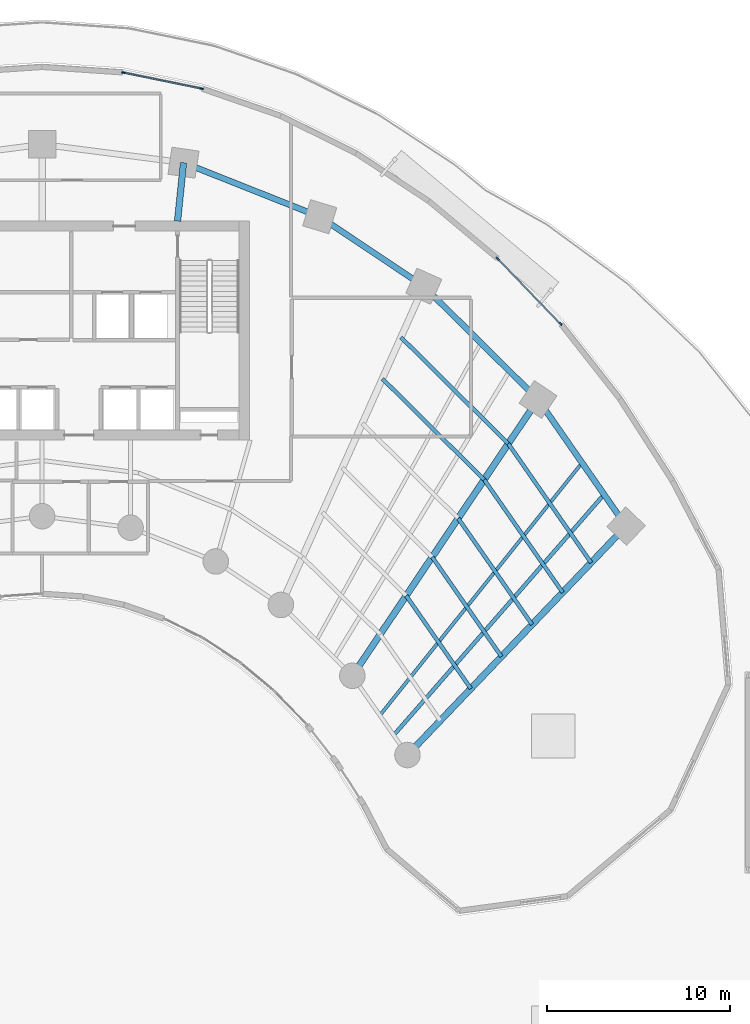
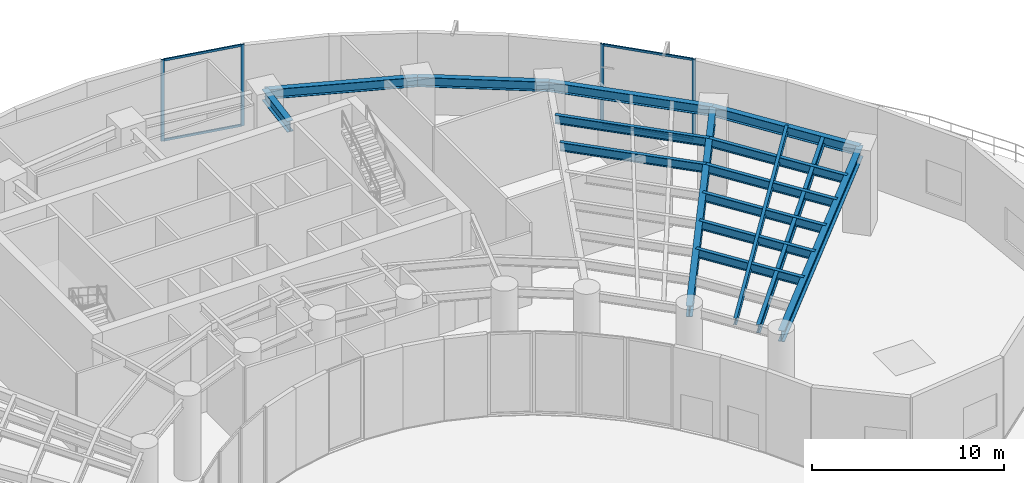
# One storey, part 6 of 17: 16 beams, 8 members, 2 elements without a shape of their own.
"""IFC4 building model written with IfcOpenShell, lengths in metres."""

from ifc_helpers import new_model, si_unit, direction, frame, origin, origin_2d, place, context, subcontext, project, spatial, rectangle, i_section, extrude, source, transform, mapped, material, layer, layer_set, material_profile, profile_set, type_object, type_shapes, element, aggregate, save


model = new_model("IFC4")

# Units and contexts
model_context = context("Model", 3, precision=1e-05, world=origin(), true_north=direction((0.0, 1.0)))
body_context = subcontext(model_context, "Body", "Model", "MODEL_VIEW")
ifc_project = project(units=[si_unit("LENGTHUNIT", "METRE"), si_unit("AREAUNIT", "SQUARE_METRE"), si_unit("VOLUMEUNIT", "CUBIC_METRE"), si_unit("PLANEANGLEUNIT", "RADIAN"), si_unit("MASSUNIT", "GRAM", prefix="KILO")], contexts=[model_context])

# Site, building, storey
site_placement = place(None, origin())
site = spatial("IfcSite", under=ifc_project, at=site_placement, CompositionType="ELEMENT")
building_placement = place(site_placement, origin())
building = spatial("IfcBuilding", under=site, at=building_placement, Name="Breltana Convention Tower", CompositionType="ELEMENT")
storey_placement = place(building_placement, frame((0.0, 0.0, 30.0)))
storey = spatial("IfcBuildingStorey", under=building, at=storey_placement, Name="L05", CompositionType="ELEMENT", Elevation=30.0)

# Beams
ifc_material_1 = material(Name="Steel ASTM A992 Grade 50", Category="steel")
ifc_material_profile_1 = material_profile(ifc_material_1, i_section(OverallWidth=0.323974609375, OverallDepth=0.611083984375, WebThickness=0.0126953125, FlangeThickness=0.01904296875, at=origin_2d()), Name="W24X104")
ifc_profile_set_1 = profile_set([ifc_material_profile_1], Name="Steel ASTM A992 Grade 50")
beam_type_1 = type_object("IfcBeamType", Name="BM-SP-W24X104", PredefinedType="SPANDREL", material=ifc_profile_set_1)
shared_shape_1 = source(origin(), body_context, "Body", "SweptSolid", [
    extrude(i_section(OverallWidth=0.323974609375, OverallDepth=0.611083984375, WebThickness=0.0126953125, FlangeThickness=0.01904296875, at=origin_2d()), origin(), (0.0, 0.0, 1.0), 8.028564453125),
])
beam_1_placement = place(storey_placement, frame((55.746826171875, 75.404296875, 4.8544921875), z_axis=(0.929459100394, -0.368925169507, 0.0), x_axis=(0.368925169507, 0.929459100394, 0.0)))
element("IfcBeam", 1, at=beam_1_placement, inside=storey, type_object=beam_type_1, Name="L05 Outer Spandrel Beam 07", PredefinedType="SPANDREL", context=body_context, shape_type="MappedRepresentation", body=[
    mapped(shared_shape_1, transform((0.0, 0.0, 0.0), scale=1.0)),
])
shared_shape_2 = source(origin(), body_context, "Body", "SweptSolid", [
    extrude(i_section(OverallWidth=0.323974609375, OverallDepth=0.611083984375, WebThickness=0.0126953125, FlangeThickness=0.01904296875, at=origin_2d()), origin(), (0.0, 0.0, 1.0), 6.856689453125),
])
beam_2_placement = place(storey_placement, frame((63.208984375, 72.4423828125, 4.8544921875), z_axis=(0.83150210718, -0.55552159792, 0.0), x_axis=(0.55552159792, 0.83150210718, 0.0)))
element("IfcBeam", 2, at=beam_2_placement, inside=storey, type_object=beam_type_1, Name="L05 Outer Spandrel Beam 08", PredefinedType="SPANDREL", context=body_context, shape_type="MappedRepresentation", body=[
    mapped(shared_shape_2, transform((0.0, 0.0, 0.0), scale=1.0)),
])
shared_shape_3 = source(origin(), body_context, "Body", "SweptSolid", [
    extrude(i_section(OverallWidth=0.323974609375, OverallDepth=0.611083984375, WebThickness=0.0126953125, FlangeThickness=0.01904296875, at=origin_2d()), origin(), (0.0, 0.0, 1.0), 8.810302734375),
])
beam_3_placement = place(storey_placement, frame((68.910400390625, 68.63330078125, 4.8544921875), z_axis=(0.710120823582, -0.704079836322, 0.0), x_axis=(0.704079836322, 0.710120823582, 0.0)))
element("IfcBeam", 3, at=beam_3_placement, inside=storey, type_object=beam_type_1, Name="L05 Outer Spandrel Beam 09", PredefinedType="SPANDREL", context=body_context, shape_type="MappedRepresentation", body=[
    mapped(shared_shape_3, transform((0.0, 0.0, 0.0), scale=1.0)),
])
shared_shape_4 = source(origin(), body_context, "Body", "SweptSolid", [
    extrude(i_section(OverallWidth=0.323974609375, OverallDepth=0.611083984375, WebThickness=0.0126953125, FlangeThickness=0.01904296875, at=origin_2d()), origin(), (0.0, 0.0, 1.0), 8.44970703125),
])
beam_4_placement = place(storey_placement, frame((75.166748046875, 62.43017578125, 4.8544921875), z_axis=(0.5711855381, -0.820820979913, 0.0), x_axis=(0.820820979913, 0.5711855381, 0.0)))
element("IfcBeam", 4, at=beam_4_placement, inside=storey, type_object=beam_type_1, Name="L05 Outer Spandrel Beam 10", PredefinedType="SPANDREL", context=body_context, shape_type="MappedRepresentation", body=[
    mapped(shared_shape_4, transform((0.0, 0.0, 0.0), scale=1.0)),
])
ifc_material_profile_2 = material_profile(ifc_material_1, i_section(OverallWidth=0.35498046875, OverallDepth=0.696044921875, WebThickness=0.015380859375, FlangeThickness=0.02490234375, at=origin_2d()), Name="W27X146")
ifc_profile_set_2 = profile_set([ifc_material_profile_2], Name="Steel ASTM A992 Grade 50")
beam_type_2 = type_object("IfcBeamType", Name="BM-RG-W27X146", PredefinedType="USERDEFINED", material=ifc_profile_set_2)
shared_shape_5 = source(origin(), body_context, "Body", "SweptSolid", [
    extrude(i_section(OverallWidth=0.35498046875, OverallDepth=0.696044921875, WebThickness=0.015380859375, FlangeThickness=0.02490234375, at=origin_2d()), origin(), (0.0, 0.0, 1.0), 17.341064453125),
])
type_shapes(beam_type_2, [shared_shape_5])
beam_5_placement = place(storey_placement, frame((68.015380859375, 42.95458984375, 4.81201171875), z_axis=(0.690716462293, 0.723125693581, 0.0), x_axis=(-0.723125693581, 0.690716462293, 0.0)))
element("IfcBeam", 5, at=beam_5_placement, inside=storey, type_object=beam_type_2, Name="L05 Radial Floor Girder R11", ObjectType="GIRDER", PredefinedType="USERDEFINED", context=body_context, shape_type="MappedRepresentation", body=[
    mapped(shared_shape_5, transform((0.0, 0.0, 0.0), scale=1.0)),
])
shared_shape_6 = source(origin(), body_context, "Body", "SweptSolid", [
    extrude(i_section(OverallWidth=0.35498046875, OverallDepth=0.696044921875, WebThickness=0.015380859375, FlangeThickness=0.02490234375, at=origin_2d()), origin(), (0.0, 0.0, 1.0), 3.220947265625),
])
beam_6_placement = place(storey_placement, frame((55.419921875, 72.199951171875, 4.81201171875), z_axis=(0.101492254858, 0.994836329355, 0.0), x_axis=(-0.994836329355, 0.101492254858, 0.0)))
element("IfcBeam", 6, at=beam_6_placement, inside=storey, type_object=beam_type_2, Name="L05 North Core Radial Girder R07", ObjectType="GIRDER", PredefinedType="USERDEFINED", context=body_context, shape_type="MappedRepresentation", body=[
    mapped(shared_shape_6, transform((0.0, 0.0, 0.0), scale=1.0)),
])
shared_shape_7 = source(origin(), body_context, "Body", "SweptSolid", [
    extrude(i_section(OverallWidth=0.35498046875, OverallDepth=0.696044921875, WebThickness=0.015380859375, FlangeThickness=0.02490234375, at=origin_2d()), origin(), (0.0, 0.0, 1.0), 18.236328125),
])
beam_7_placement = place(storey_placement, frame((64.995849609375, 47.293701171875, 4.81201171875), z_axis=(0.557730360975, 0.830022195153, 0.0), x_axis=(-0.830022195153, 0.557730360975, 0.0)))
element("IfcBeam", 7, at=beam_7_placement, inside=storey, type_object=beam_type_2, Name="L05 Radial Floor Girder R10", ObjectType="GIRDER", PredefinedType="USERDEFINED", context=body_context, shape_type="MappedRepresentation", body=[
    mapped(shared_shape_7, transform((0.0, 0.0, 0.0), scale=1.0)),
])
ifc_material_profile_3 = material_profile(ifc_material_1, i_section(OverallWidth=0.214111328125, OverallDepth=0.549072265625, WebThickness=0.0146484375, FlangeThickness=0.023681640625, at=origin_2d()), Name="W21X93")
ifc_profile_set_3 = profile_set([ifc_material_profile_3], Name="Steel ASTM A992 Grade 50")
beam_type_3 = type_object("IfcBeamType", Name="BM-JSG-03", PredefinedType="JOIST", material=ifc_profile_set_3)
shared_shape_8 = source(origin(), body_context, "Body", "SweptSolid", [
    extrude(i_section(OverallWidth=0.214111328125, OverallDepth=0.549072265625, WebThickness=0.0146484375, FlangeThickness=0.023681640625, at=origin_2d()), origin(), (0.0, 0.0, 1.0), 7.853759765625),
])
beam_8_placement = place(storey_placement, frame((66.64013671875, 63.5703125, 4.885498046875), z_axis=(0.710115639208, -0.70408506514, 0.0), x_axis=(0.70408506514, 0.710115639208, 0.0)))
element("IfcBeam", 8, at=beam_8_placement, inside=storey, type_object=beam_type_3, Name="L05 Composite Floor Joist 09.5", PredefinedType="JOIST", context=body_context, shape_type="MappedRepresentation", body=[
    mapped(shared_shape_8, transform((0.0, 0.0, 0.0), scale=1.0)),
])
shared_shape_9 = source(origin(), body_context, "Body", "SweptSolid", [
    extrude(i_section(OverallWidth=0.214111328125, OverallDepth=0.549072265625, WebThickness=0.0146484375, FlangeThickness=0.023681640625, at=origin_2d()), origin(), (0.0, 0.0, 1.0), 8.2822265625),
])
beam_9_placement = place(storey_placement, frame((67.657958984375, 65.83984375, 4.885498046875), z_axis=(0.710107068817, -0.704093708832, 0.0), x_axis=(0.704093708832, 0.710107068817, 0.0)))
element("IfcBeam", 9, at=beam_9_placement, inside=storey, type_object=beam_type_3, Name="L05 Composite Floor Joist 09.6", PredefinedType="JOIST", context=body_context, shape_type="MappedRepresentation", body=[
    mapped(shared_shape_9, transform((0.0, 0.0, 0.0), scale=1.0)),
])
shared_shape_10 = source(origin(), body_context, "Body", "SweptSolid", [
    extrude(i_section(OverallWidth=0.214111328125, OverallDepth=0.549072265625, WebThickness=0.0146484375, FlangeThickness=0.023681640625, at=origin_2d()), origin(), (0.0, 0.0, 1.0), 6.203857421875),
])
beam_10_placement = place(storey_placement, frame((67.9453125, 51.683349609375, 4.885498046875), z_axis=(0.571217832032, -0.820798506558, 0.0), x_axis=(0.820798506558, 0.571217832032, 0.0)))
element("IfcBeam", 10, at=beam_10_placement, inside=storey, type_object=beam_type_3, Name="L05 Composite Floor Joist 10.2", PredefinedType="JOIST", context=body_context, shape_type="MappedRepresentation", body=[
    mapped(shared_shape_10, transform((0.0, 0.0, 0.0), scale=1.0)),
])
shared_shape_11 = source(origin(), body_context, "Body", "SweptSolid", [
    extrude(i_section(OverallWidth=0.214111328125, OverallDepth=0.549072265625, WebThickness=0.0146484375, FlangeThickness=0.023681640625, at=origin_2d()), origin(), (0.0, 0.0, 1.0), 6.646728515625),
])
beam_11_placement = place(storey_placement, frame((69.369384765625, 53.802490234375, 4.885498046875), z_axis=(0.571194698527, -0.820814605362, 0.0), x_axis=(0.820814605362, 0.571194698527, 0.0)))
element("IfcBeam", 11, at=beam_11_placement, inside=storey, type_object=beam_type_3, Name="L05 Composite Floor Joist 10.3", PredefinedType="JOIST", context=body_context, shape_type="MappedRepresentation", body=[
    mapped(shared_shape_11, transform((0.0, 0.0, 0.0), scale=1.0)),
])
shared_shape_12 = source(origin(), body_context, "Body", "SweptSolid", [
    extrude(i_section(OverallWidth=0.214111328125, OverallDepth=0.549072265625, WebThickness=0.0146484375, FlangeThickness=0.023681640625, at=origin_2d()), origin(), (0.0, 0.0, 1.0), 7.089599609375),
])
beam_12_placement = place(storey_placement, frame((70.793212890625, 55.92138671875, 4.885498046875), z_axis=(0.571206746165, -0.820806221429, 0.0), x_axis=(0.820806221429, 0.571206746165, 0.0)))
element("IfcBeam", 12, at=beam_12_placement, inside=storey, type_object=beam_type_3, Name="L05 Composite Floor Joist 10.4", PredefinedType="JOIST", context=body_context, shape_type="MappedRepresentation", body=[
    mapped(shared_shape_12, transform((0.0, 0.0, 0.0), scale=1.0)),
])
shared_shape_13 = source(origin(), body_context, "Body", "SweptSolid", [
    extrude(i_section(OverallWidth=0.214111328125, OverallDepth=0.549072265625, WebThickness=0.0146484375, FlangeThickness=0.023681640625, at=origin_2d()), origin(), (0.0, 0.0, 1.0), 7.5322265625),
])
beam_13_placement = place(storey_placement, frame((72.21728515625, 58.04052734375, 4.885498046875), z_axis=(0.57120218088, -0.820809398434, 0.0), x_axis=(0.820809398434, 0.57120218088, 0.0)))
element("IfcBeam", 13, at=beam_13_placement, inside=storey, type_object=beam_type_3, Name="L05 Composite Floor Joist 10.5", PredefinedType="JOIST", context=body_context, shape_type="MappedRepresentation", body=[
    mapped(shared_shape_13, transform((0.0, 0.0, 0.0), scale=1.0)),
])
shared_shape_14 = source(origin(), body_context, "Body", "SweptSolid", [
    extrude(i_section(OverallWidth=0.214111328125, OverallDepth=0.549072265625, WebThickness=0.0146484375, FlangeThickness=0.023681640625, at=origin_2d()), origin(), (0.0, 0.0, 1.0), 7.94384765625),
])
beam_14_placement = place(storey_placement, frame((73.539306640625, 60.00830078125, 4.885498046875), z_axis=(0.571213957374, -0.820801203034, 0.0), x_axis=(0.820801203034, 0.571213957374, 0.0)))
element("IfcBeam", 14, at=beam_14_placement, inside=storey, type_object=beam_type_3, Name="L05 Composite Floor Joist 10.6", PredefinedType="JOIST", context=body_context, shape_type="MappedRepresentation", body=[
    mapped(shared_shape_14, transform((0.0, 0.0, 0.0), scale=1.0)),
])
ifc_material_profile_4 = material_profile(ifc_material_1, i_section(OverallWidth=0.179931640625, OverallDepth=0.4130859375, WebThickness=0.009765625, FlangeThickness=0.01611328125, at=origin_2d()), Name="W16X50")
ifc_profile_set_4 = profile_set([ifc_material_profile_4], Name="Steel ASTM A992 Grade 50")
beam_type_4 = type_object("IfcBeamType", Name="BM-JSG-08", PredefinedType="JOIST", material=ifc_profile_set_4)
shared_shape_15 = source(origin(), body_context, "Body", "SweptSolid", [
    extrude(i_section(OverallWidth=0.179931640625, OverallDepth=0.4130859375, WebThickness=0.009765625, FlangeThickness=0.01611328125, at=origin_2d()), origin(), (0.0, 0.0, 1.0), 17.7236328125),
])
beam_15_placement = place(storey_placement, frame((66.505615234375, 45.124267578125, 4.95361328125), z_axis=(0.624829427563, 0.78076128647, 0.0), x_axis=(-0.78076128647, 0.624829427563, 0.0)))
element("IfcBeam", 15, at=beam_15_placement, inside=storey, type_object=beam_type_4, Name="L05 Mid-Bay Radial Trimmer 10", PredefinedType="JOIST", context=body_context, shape_type="MappedRepresentation", body=[
    mapped(shared_shape_15, transform((0.0, 0.0, 0.0), scale=1.0)),
])
shared_shape_16 = source(origin(), body_context, "Body", "SweptSolid", [
    extrude(i_section(OverallWidth=0.214111328125, OverallDepth=0.549072265625, WebThickness=0.0146484375, FlangeThickness=0.023681640625, at=origin_2d()), origin(), (0.0, 0.0, 1.0), 17.515625),
])
beam_16_placement = place(storey_placement, frame((67.260498046875, 44.03955078125, 4.885498046875), z_axis=(0.658051548324, 0.752972881151, 0.0), x_axis=(-0.752972881151, 0.658051548324, 0.0)))
element("IfcBeam", 16, at=beam_16_placement, inside=storey, type_object=beam_type_3, Name="L05 Quarter-Bay Radial Trimmer 10", PredefinedType="JOIST", context=body_context, shape_type="MappedRepresentation", body=[
    mapped(shared_shape_16, transform((0.0, 0.0, 0.0), scale=1.0)),
])

# Curtain wall, members
ifc_material_2 = material(Name="Aluminium Anodised Bronze Frame", Category="aluminium")
ifc_layer = layer(ifc_material_2, 0.239990234375, Name="Aluminium Anodised Bronze Frame")
ifc_layer_set = layer_set([ifc_layer], Name="Aluminium Anodised Bronze Frame")
curtain_wall_type = type_object("IfcCurtainWallType", Name="CW-SYS-6", PredefinedType="NOTDEFINED", material=ifc_layer_set)
curtain_wall_1_placement = place(storey_placement, origin())
curtain_wall_1 = element("IfcCurtainWall", 17, at=curtain_wall_1_placement, inside=storey, type_object=curtain_wall_type, Name="L05 outer double-skin inner glazing 3", PredefinedType="NOTDEFINED")
ifc_material_3 = material(Name="Aluminium Anodised Bronze", Category="aluminium")
ifc_material_profile_5 = material_profile(ifc_material_3, rectangle(XDim=0.080078125, YDim=0.199951171875, at=origin_2d()), Name="CWM-80X200")
ifc_profile_set_5 = profile_set([ifc_material_profile_5], Name="Aluminium Anodised Bronze")
member_type_1 = type_object("IfcMemberType", Name="CWM-200", PredefinedType="MULLION", material=ifc_profile_set_5)
shared_shape_17 = source(origin(), body_context, "Body", "SweptSolid", [
    extrude(rectangle(XDim=0.080078125, YDim=0.199951171875, at=origin_2d()), origin(), (0.0, 0.0, 1.0), 5.159912109375),
])
type_shapes(member_type_1, [shared_shape_17])
member_1_placement = place(storey_placement, frame((52.451171875, 80.338134765625, 0.0), z_axis=(0.0, 0.0, 1.0), x_axis=(0.200884537139, 0.979614925743, 0.0)))
member_1 = element("IfcMember", 18, at=member_1_placement, type_object=member_type_1, Name="CW-06 mullion 1", PredefinedType="MULLION", context=body_context, shape_type="MappedRepresentation", body=[
    mapped(shared_shape_17, transform((0.0, 0.0, 0.0), scale=1.0)),
])
member_2_placement = place(storey_placement, frame((56.740234375, 79.45849609375, 0.0), z_axis=(0.0, 0.0, 1.0), x_axis=(0.200884537139, 0.979614925743, 0.0)))
member_2 = element("IfcMember", 19, at=member_2_placement, type_object=member_type_1, Name="CW-06 mullion 2", PredefinedType="MULLION", context=body_context, shape_type="MappedRepresentation", body=[
    mapped(shared_shape_17, transform((0.0, 0.0, 0.0), scale=1.0)),
])

curtain_wall_2_placement = place(storey_placement, origin())
curtain_wall_2 = element("IfcCurtainWall", 20, at=curtain_wall_2_placement, inside=storey, type_object=curtain_wall_type, Name="L05 outer double-skin inner glazing 4", PredefinedType="NOTDEFINED")
member_3_placement = place(storey_placement, frame((72.95947265625, 70.14404296875, 0.0), z_axis=(0.0, 0.0, 1.0), x_axis=(0.719386421003, 0.694610090106, 0.0)))
member_3 = element("IfcMember", 21, at=member_3_placement, type_object=member_type_1, Name="CW-06 mullion 1", PredefinedType="MULLION", context=body_context, shape_type="MappedRepresentation", body=[
    mapped(shared_shape_17, transform((0.0, 0.0, 0.0), scale=1.0)),
])
member_4_placement = place(storey_placement, frame((76.405517578125, 66.5751953125, 0.0), z_axis=(0.0, 0.0, 1.0), x_axis=(0.719386421003, 0.694610090106, 0.0)))
member_4 = element("IfcMember", 22, at=member_4_placement, type_object=member_type_1, Name="CW-06 mullion 2", PredefinedType="MULLION", context=body_context, shape_type="MappedRepresentation", body=[
    mapped(shared_shape_17, transform((0.0, 0.0, 0.0), scale=1.0)),
])

# Member
ifc_material_profile_6 = material_profile(ifc_material_3, rectangle(XDim=0.080078125, YDim=0.139892578125, at=origin_2d()), Name="CWT-80X140")
ifc_profile_set_6 = profile_set([ifc_material_profile_6], Name="Aluminium Anodised Bronze")
member_type_2 = type_object("IfcMemberType", Name="CWT-140", PredefinedType="USERDEFINED", material=ifc_profile_set_6)
shared_shape_18 = source(origin(), body_context, "Body", "SweptSolid", [
    extrude(rectangle(XDim=0.080078125, YDim=0.139892578125, at=origin_2d()), origin(), (0.0, 0.0, 1.0), 4.29833984375),
])
member_5_placement = place(storey_placement, frame((52.490478515625, 80.330078125, 0.0400390625), z_axis=(0.979612160081, -0.200898023436, 0.0), x_axis=(0.200898023436, 0.979612160081, 0.0)))
member_5 = element("IfcMember", 23, at=member_5_placement, type_object=member_type_2, Name="CW-06 transom 1.1", ObjectType="TRANSOM", PredefinedType="USERDEFINED", context=body_context, shape_type="MappedRepresentation", body=[
    mapped(shared_shape_18, transform((0.0, 0.0, 0.0), scale=1.0)),
])

member_6_placement = place(storey_placement, frame((52.490478515625, 80.330078125, 5.1201171875), z_axis=(0.979612160081, -0.200898023436, 0.0), x_axis=(0.200898023436, 0.979612160081, 0.0)))
member_6 = element("IfcMember", 24, at=member_6_placement, type_object=member_type_2, Name="CW-06 transom 1.2", ObjectType="TRANSOM", PredefinedType="USERDEFINED", context=body_context, shape_type="MappedRepresentation", body=[
    mapped(shared_shape_18, transform((0.0, 0.0, 0.0), scale=1.0)),
])

aggregate(curtain_wall_1, [member_1, member_2, member_5, member_6])

shared_shape_19 = source(origin(), body_context, "Body", "SweptSolid", [
    extrude(rectangle(XDim=0.080078125, YDim=0.139892578125, at=origin_2d()), origin(), (0.0, 0.0, 1.0), 4.881103515625),
])
member_7_placement = place(storey_placement, frame((72.987060546875, 70.115234375, 0.0400390625), z_axis=(0.694644498848, -0.719353195739, 0.0), x_axis=(0.719353195739, 0.694644498848, 0.0)))
member_7 = element("IfcMember", 25, at=member_7_placement, type_object=member_type_2, Name="CW-06 transom 1.1", ObjectType="TRANSOM", PredefinedType="USERDEFINED", context=body_context, shape_type="MappedRepresentation", body=[
    mapped(shared_shape_19, transform((0.0, 0.0, 0.0), scale=1.0)),
])

member_8_placement = place(storey_placement, frame((72.987060546875, 70.115234375, 5.1201171875), z_axis=(0.694644498848, -0.719353195739, 0.0), x_axis=(0.719353195739, 0.694644498848, 0.0)))
member_8 = element("IfcMember", 26, at=member_8_placement, type_object=member_type_2, Name="CW-06 transom 1.2", ObjectType="TRANSOM", PredefinedType="USERDEFINED", context=body_context, shape_type="MappedRepresentation", body=[
    mapped(shared_shape_19, transform((0.0, 0.0, 0.0), scale=1.0)),
])

aggregate(curtain_wall_2, [member_3, member_4, member_7, member_8])

save(model, "model.ifc")
